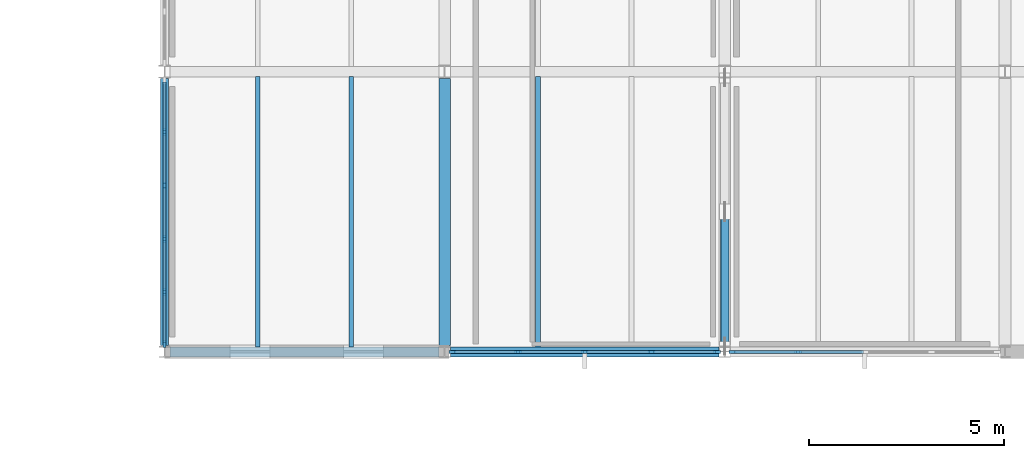
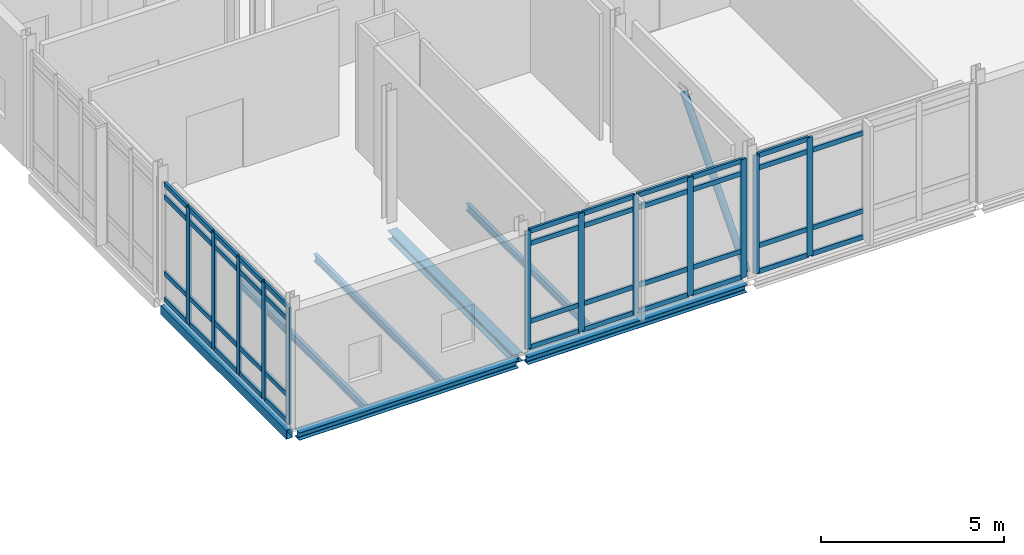
# One storey, part 17 of 43: 56 members, 7 beams, 3 elements without a shape of their own.
"""IFC4 building model written with IfcOpenShell, lengths in metres."""

from ifc_helpers import new_model, si_unit, direction, frame, origin, origin_2d, place, context, subcontext, project, spatial, rectangle, hollow_rectangle, hollow_circle, i_section, extrude, material, layer, layer_set, material_profile, profile_set, type_object, element, aggregate, save


model = new_model("IFC4")

# Units and contexts
model_context = context("Model", 3, precision=1e-05, world=origin(), true_north=direction((0.0, 1.0)))
body_context = subcontext(model_context, "Body", "Model", "MODEL_VIEW")
ifc_project = project(units=[si_unit("LENGTHUNIT", "METRE"), si_unit("AREAUNIT", "SQUARE_METRE"), si_unit("VOLUMEUNIT", "CUBIC_METRE"), si_unit("PLANEANGLEUNIT", "RADIAN"), si_unit("MASSUNIT", "GRAM", prefix="KILO")], contexts=[model_context])

# Site, building, storey
site_placement = place(None, origin())
site = spatial("IfcSite", under=ifc_project, at=site_placement, CompositionType="ELEMENT")
building_placement = place(site_placement, origin())
building = spatial("IfcBuilding", under=site, at=building_placement, Name="Zarrinpeak Specialist Clinic", CompositionType="ELEMENT")
storey_placement = place(building_placement, frame((0.0, 0.0, 18.39990234375)))
storey = spatial("IfcBuildingStorey", under=building, at=storey_placement, Name="L04", CompositionType="ELEMENT", Elevation=18.39990234375)

# Beams
ifc_material_1 = material(Name="Steel S355", Category="steel")
ifc_material_profile_1 = material_profile(ifc_material_1, i_section(OverallWidth=0.260009765625, OverallDepth=0.25, WebThickness=0.007568359375, FlangeThickness=0.012451171875, FilletRadius=0.02392578125, at=origin_2d()), Name="HEA 260")
ifc_profile_set_1 = profile_set([ifc_material_profile_1], Name="Steel S355")
beam_type_1 = type_object("IfcBeamType", Name="BM-HEA260", PredefinedType="BEAM", material=ifc_profile_set_1)
for number, where, z_axis, x_axis, name in (
    (1, (36.14794921875, 89.199951171875, -0.324951171875), (1.0, 0.0, 0.0), (0.0, 1.0, 0.0), "L04 Primary Floor Girder BM-L04-X1863"),
    (2, (43.347900390625, 89.199951171875, -0.324951171875), (1.0, 0.0, 0.0), (0.0, 1.0, 0.0), "L04 Primary Floor Girder BM-L04-X1864"),
):
    element("IfcBeam", number, at=place(storey_placement, frame(where, z_axis=z_axis, x_axis=x_axis)), inside=storey, type_object=beam_type_1, Name=name, PredefinedType="BEAM", context=body_context, shape_type="SweptSolid", body=[
        extrude(i_section(OverallWidth=0.260009765625, OverallDepth=0.25, WebThickness=0.007568359375, FlangeThickness=0.012451171875, FilletRadius=0.02392578125, at=origin_2d()), origin(), (0.0, 0.0, 1.0), 6.904052734375),
    ])
ifc_material_profile_2 = material_profile(ifc_material_1, i_section(OverallWidth=0.300048828125, OverallDepth=0.2900390625, WebThickness=0.008544921875, FlangeThickness=0.013916015625, FilletRadius=0.027099609375, at=origin_2d()), Name="HEA 300")
ifc_profile_set_2 = profile_set([ifc_material_profile_2], Name="Steel S355")
beam_type_2 = type_object("IfcBeamType", Name="BM-HEA300", PredefinedType="BEAM", material=ifc_profile_set_2)
beam_1_placement = place(storey_placement, frame((43.199951171875, 89.35791015625, -0.344970703125), z_axis=(0.0, 1.0, 0.0), x_axis=(-1.0, 0.0, 0.0)))
element("IfcBeam", 3, at=beam_1_placement, inside=storey, type_object=beam_type_2, Name="L04 Primary Beam BM-L04-Y1918", PredefinedType="BEAM", context=body_context, shape_type="SweptSolid", body=[
    extrude(i_section(OverallWidth=0.300048828125, OverallDepth=0.2900390625, WebThickness=0.008544921875, FlangeThickness=0.013916015625, FilletRadius=0.027099609375, at=origin_2d()), origin(), (0.0, 0.0, 1.0), 6.864013671875),
])
ifc_material_profile_3 = material_profile(ifc_material_1, i_section(OverallWidth=0.1201171875, OverallDepth=0.239990234375, WebThickness=0.006103515625, FlangeThickness=0.009765625, FilletRadius=0.014892578125, at=origin_2d()), Name="IPE 240")
ifc_profile_set_3 = profile_set([ifc_material_profile_3], Name="Steel S355")
beam_type_3 = type_object("IfcBeamType", Name="BM-JST240", PredefinedType="JOIST", material=ifc_profile_set_3)
for number, where, z_axis, x_axis, name in (
    (4, (38.39990234375, 89.327880859375, -0.31982421875), (0.0, 1.0, 0.0), (-1.0, 0.0, 0.0), "L04 Composite Floor Joist JST-L04-2013"),
    (5, (40.800048828125, 89.327880859375, -0.31982421875), (0.0, 1.0, 0.0), (-1.0, 0.0, 0.0), "L04 Composite Floor Joist JST-L04-2014"),
    (6, (45.60009765625, 89.327880859375, -0.31982421875), (0.0, 1.0, 0.0), (-1.0, 0.0, 0.0), "L04 Composite Floor Joist JST-L04-2017"),
):
    element("IfcBeam", number, at=place(storey_placement, frame(where, z_axis=z_axis, x_axis=x_axis)), inside=storey, type_object=beam_type_3, Name=name, PredefinedType="JOIST", context=body_context, shape_type="SweptSolid", body=[
        extrude(i_section(OverallWidth=0.1201171875, OverallDepth=0.239990234375, WebThickness=0.006103515625, FlangeThickness=0.009765625, FilletRadius=0.014892578125, at=origin_2d()), origin(), (0.0, 0.0, 1.0), 6.944091796875),
    ])
ifc_material_profile_4 = material_profile(ifc_material_1, hollow_rectangle(XDim=0.199951171875, YDim=0.300048828125, WallThickness=0.012451171875, at=origin_2d()), Name="RHS 300x200x12.5")
ifc_profile_set_4 = profile_set([ifc_material_profile_4], Name="Steel S355")
beam_type_4 = type_object("IfcBeamType", Name="BM-SP300", PredefinedType="SPANDREL", material=ifc_profile_set_4)
beam_2_placement = place(storey_placement, frame((36.0, 89.35791015625, -0.349853515625), z_axis=(0.0, 1.0, 0.0), x_axis=(-1.0, 0.0, 0.0)))
element("IfcBeam", 7, at=beam_2_placement, inside=storey, type_object=beam_type_4, Name="L04 Perimeter Spandrel Beam BM-L04-Y1914", PredefinedType="SPANDREL", context=body_context, shape_type="SweptSolid", body=[
    extrude(hollow_rectangle(XDim=0.199951171875, YDim=0.300048828125, WallThickness=0.012451171875, at=origin_2d()), origin(), (0.0, 0.0, 1.0), 6.864013671875),
])

# Curtain wall, members
ifc_material_2 = material(Name="Anodised Aluminium Alloy 6063-T6", Category="aluminium")
ifc_layer_1 = layer(ifc_material_2, 0.179931640625)
ifc_layer_set_1 = layer_set([ifc_layer_1], Name="Anodised Aluminium Alloy 6063-T6")
curtain_wall_type_1 = type_object("IfcCurtainWallType", Name="CW-COURT", PredefinedType="NOTDEFINED", material=ifc_layer_set_1)
curtain_wall_1_placement = place(storey_placement, origin())
curtain_wall_1 = element("IfcCurtainWall", 8, at=curtain_wall_1_placement, inside=storey, type_object=curtain_wall_type_1, Name="L04 V6 Unitised Curtain Wall CW-L04-V6-153", PredefinedType="NOTDEFINED")
ifc_material_profile_5 = material_profile(ifc_material_2, rectangle(XDim=0.074951171875, YDim=0.179931640625, at=origin_2d()), Name="ALU 75x180")
ifc_profile_set_5 = profile_set([ifc_material_profile_5], Name="Anodised Aluminium Alloy 6063-T6")
member_type_1 = type_object("IfcMemberType", Name="CWM-75", PredefinedType="MULLION", material=ifc_profile_set_5)
member_1_placement = place(storey_placement, frame((43.402587890625, 89.199951171875, 0.0), z_axis=(0.0, 0.0, 1.0), x_axis=(0.0, 1.0, 0.0)))
member_1 = element("IfcMember", 9, at=member_1_placement, type_object=member_type_1, Name="CW-01 mullion 1", PredefinedType="MULLION", context=body_context, shape_type="SweptSolid", body=[
    extrude(rectangle(XDim=0.074951171875, YDim=0.179931640625, at=origin_2d()), origin(), (0.0, 0.0, 1.0), 3.940185546875),
])
member_2_placement = place(storey_placement, frame((45.08251953125, 89.199951171875, 0.0), z_axis=(0.0, 0.0, 1.0), x_axis=(0.0, 1.0, 0.0)))
member_2 = element("IfcMember", 10, at=member_2_placement, type_object=member_type_1, Name="CW-01 mullion 2", PredefinedType="MULLION", context=body_context, shape_type="SweptSolid", body=[
    extrude(rectangle(XDim=0.074951171875, YDim=0.179931640625, at=origin_2d()), origin(), (0.0, 0.0, 1.0), 3.940185546875),
])
member_3_placement = place(storey_placement, frame((46.800048828125, 89.199951171875, 0.0), z_axis=(0.0, 0.0, 1.0), x_axis=(0.0, 1.0, 0.0)))
member_3 = element("IfcMember", 11, at=member_3_placement, type_object=member_type_1, Name="CW-01 mullion 3", PredefinedType="MULLION", context=body_context, shape_type="SweptSolid", body=[
    extrude(rectangle(XDim=0.074951171875, YDim=0.179931640625, at=origin_2d()), origin(), (0.0, 0.0, 1.0), 3.940185546875),
])
member_4_placement = place(storey_placement, frame((48.517578125, 89.199951171875, 0.0), z_axis=(0.0, 0.0, 1.0), x_axis=(0.0, 1.0, 0.0)))
member_4 = element("IfcMember", 12, at=member_4_placement, type_object=member_type_1, Name="CW-01 mullion 4", PredefinedType="MULLION", context=body_context, shape_type="SweptSolid", body=[
    extrude(rectangle(XDim=0.074951171875, YDim=0.179931640625, at=origin_2d()), origin(), (0.0, 0.0, 1.0), 3.940185546875),
])
member_5_placement = place(storey_placement, frame((50.197509765625, 89.199951171875, 0.0), z_axis=(0.0, 0.0, 1.0), x_axis=(0.0, 1.0, 0.0)))
member_5 = element("IfcMember", 13, at=member_5_placement, type_object=member_type_1, Name="CW-01 mullion 5", PredefinedType="MULLION", context=body_context, shape_type="SweptSolid", body=[
    extrude(rectangle(XDim=0.074951171875, YDim=0.179931640625, at=origin_2d()), origin(), (0.0, 0.0, 1.0), 3.940185546875),
])

curtain_wall_2_placement = place(storey_placement, origin())
curtain_wall_2 = element("IfcCurtainWall", 14, at=curtain_wall_2_placement, inside=storey, type_object=curtain_wall_type_1, Name="L04 V6 Unitised Curtain Wall CW-L04-V6-154", PredefinedType="NOTDEFINED")
member_6_placement = place(storey_placement, frame((50.6025390625, 89.199951171875, 0.0), z_axis=(0.0, 0.0, 1.0), x_axis=(0.0, 1.0, 0.0)))
member_6 = element("IfcMember", 15, at=member_6_placement, type_object=member_type_1, Name="CW-01 mullion 1", PredefinedType="MULLION", context=body_context, shape_type="SweptSolid", body=[
    extrude(rectangle(XDim=0.074951171875, YDim=0.179931640625, at=origin_2d()), origin(), (0.0, 0.0, 1.0), 3.940185546875),
])
member_7_placement = place(storey_placement, frame((52.282470703125, 89.199951171875, 0.0), z_axis=(0.0, 0.0, 1.0), x_axis=(0.0, 1.0, 0.0)))
member_7 = element("IfcMember", 16, at=member_7_placement, type_object=member_type_1, Name="CW-01 mullion 2", PredefinedType="MULLION", context=body_context, shape_type="SweptSolid", body=[
    extrude(rectangle(XDim=0.074951171875, YDim=0.179931640625, at=origin_2d()), origin(), (0.0, 0.0, 1.0), 3.940185546875),
])

ifc_layer_2 = layer(ifc_material_2, 0.1650390625)
ifc_layer_set_2 = layer_set([ifc_layer_2], Name="Anodised Aluminium Alloy 6063-T6")
curtain_wall_type_2 = type_object("IfcCurtainWallType", Name="CW-CLINIC", PredefinedType="NOTDEFINED", material=ifc_layer_set_2)
curtain_wall_3_placement = place(storey_placement, origin())
curtain_wall_3 = element("IfcCurtainWall", 17, at=curtain_wall_3_placement, inside=storey, type_object=curtain_wall_type_2, Name="L04 V6 Unitised Curtain Wall CW-L04-V6-155", PredefinedType="NOTDEFINED")
member_8_placement = place(storey_placement, frame((36.0, 94.844970703125, 0.0), z_axis=(0.0, 0.0, 1.0), x_axis=(1.0, 0.0, 0.0)))
member_8 = element("IfcMember", 18, at=member_8_placement, type_object=member_type_1, Name="CW-03 mullion 2", PredefinedType="MULLION", context=body_context, shape_type="SweptSolid", body=[
    extrude(rectangle(XDim=0.074951171875, YDim=0.179931640625, at=origin_2d()), origin(), (0.0, 0.0, 1.0), 3.89013671875),
])
member_9_placement = place(storey_placement, frame((36.0, 93.47509765625, 0.0), z_axis=(0.0, 0.0, 1.0), x_axis=(1.0, 0.0, 0.0)))
member_9 = element("IfcMember", 19, at=member_9_placement, type_object=member_type_1, Name="CW-03 mullion 3", PredefinedType="MULLION", context=body_context, shape_type="SweptSolid", body=[
    extrude(rectangle(XDim=0.074951171875, YDim=0.179931640625, at=origin_2d()), origin(), (0.0, 0.0, 1.0), 3.89013671875),
])
member_10_placement = place(storey_placement, frame((36.0, 92.10498046875, 0.0), z_axis=(0.0, 0.0, 1.0), x_axis=(1.0, 0.0, 0.0)))
member_10 = element("IfcMember", 20, at=member_10_placement, type_object=member_type_1, Name="CW-03 mullion 4", PredefinedType="MULLION", context=body_context, shape_type="SweptSolid", body=[
    extrude(rectangle(XDim=0.074951171875, YDim=0.179931640625, at=origin_2d()), origin(), (0.0, 0.0, 1.0), 3.89013671875),
])
member_11_placement = place(storey_placement, frame((36.0, 90.735107421875, 0.0), z_axis=(0.0, 0.0, 1.0), x_axis=(1.0, 0.0, 0.0)))
member_11 = element("IfcMember", 21, at=member_11_placement, type_object=member_type_1, Name="CW-03 mullion 5", PredefinedType="MULLION", context=body_context, shape_type="SweptSolid", body=[
    extrude(rectangle(XDim=0.074951171875, YDim=0.179931640625, at=origin_2d()), origin(), (0.0, 0.0, 1.0), 3.89013671875),
])
member_12_placement = place(storey_placement, frame((36.0, 89.402587890625, 0.0), z_axis=(0.0, 0.0, 1.0), x_axis=(1.0, 0.0, 0.0)))
member_12 = element("IfcMember", 22, at=member_12_placement, type_object=member_type_1, Name="CW-03 mullion 6", PredefinedType="MULLION", context=body_context, shape_type="SweptSolid", body=[
    extrude(rectangle(XDim=0.074951171875, YDim=0.179931640625, at=origin_2d()), origin(), (0.0, 0.0, 1.0), 3.89013671875),
])

# Member
ifc_material_profile_6 = material_profile(ifc_material_2, rectangle(XDim=0.074951171875, YDim=0.159912109375, at=origin_2d()), Name="ALU 75x160")
ifc_profile_set_6 = profile_set([ifc_material_profile_6], Name="Anodised Aluminium Alloy 6063-T6")
member_type_2 = type_object("IfcMemberType", Name="CWT-75", PredefinedType="USERDEFINED", material=ifc_profile_set_6)
member_13_placement = place(storey_placement, frame((43.43994140625, 89.199951171875, 0.03759765625), z_axis=(1.0, 0.0, 0.0), x_axis=(0.0, 1.0, 0.0)))
member_13 = element("IfcMember", 23, at=member_13_placement, type_object=member_type_2, Name="CW-01 transom 1.1", ObjectType="TRANSOM", PredefinedType="USERDEFINED", context=body_context, shape_type="SweptSolid", body=[
    extrude(rectangle(XDim=0.074951171875, YDim=0.159912109375, at=origin_2d()), origin(), (0.0, 0.0, 1.0), 1.60498046875),
])

member_14_placement = place(storey_placement, frame((43.43994140625, 89.199951171875, 0.900146484375), z_axis=(1.0, 0.0, 0.0), x_axis=(0.0, 1.0, 0.0)))
member_14 = element("IfcMember", 24, at=member_14_placement, type_object=member_type_2, Name="CW-01 transom 1.2", ObjectType="TRANSOM", PredefinedType="USERDEFINED", context=body_context, shape_type="SweptSolid", body=[
    extrude(rectangle(XDim=0.074951171875, YDim=0.159912109375, at=origin_2d()), origin(), (0.0, 0.0, 1.0), 1.60498046875),
])

member_15_placement = place(storey_placement, frame((43.43994140625, 89.199951171875, 3.489990234375), z_axis=(1.0, 0.0, 0.0), x_axis=(0.0, 1.0, 0.0)))
member_15 = element("IfcMember", 25, at=member_15_placement, type_object=member_type_2, Name="CW-01 transom 1.3", ObjectType="TRANSOM", PredefinedType="USERDEFINED", context=body_context, shape_type="SweptSolid", body=[
    extrude(rectangle(XDim=0.074951171875, YDim=0.159912109375, at=origin_2d()), origin(), (0.0, 0.0, 1.0), 1.60498046875),
])

member_16_placement = place(storey_placement, frame((43.43994140625, 89.199951171875, 3.902587890625), z_axis=(1.0, 0.0, 0.0), x_axis=(0.0, 1.0, 0.0)))
member_16 = element("IfcMember", 26, at=member_16_placement, type_object=member_type_2, Name="CW-01 transom 1.4", ObjectType="TRANSOM", PredefinedType="USERDEFINED", context=body_context, shape_type="SweptSolid", body=[
    extrude(rectangle(XDim=0.074951171875, YDim=0.159912109375, at=origin_2d()), origin(), (0.0, 0.0, 1.0), 1.60498046875),
])

member_17_placement = place(storey_placement, frame((45.1201171875, 89.199951171875, 0.03759765625), z_axis=(1.0, 0.0, 0.0), x_axis=(0.0, 1.0, 0.0)))
member_17 = element("IfcMember", 27, at=member_17_placement, type_object=member_type_2, Name="CW-01 transom 2.1", ObjectType="TRANSOM", PredefinedType="USERDEFINED", context=body_context, shape_type="SweptSolid", body=[
    extrude(rectangle(XDim=0.074951171875, YDim=0.159912109375, at=origin_2d()), origin(), (0.0, 0.0, 1.0), 1.642333984375),
])

member_18_placement = place(storey_placement, frame((45.1201171875, 89.199951171875, 0.900146484375), z_axis=(1.0, 0.0, 0.0), x_axis=(0.0, 1.0, 0.0)))
member_18 = element("IfcMember", 28, at=member_18_placement, type_object=member_type_2, Name="CW-01 transom 2.2", ObjectType="TRANSOM", PredefinedType="USERDEFINED", context=body_context, shape_type="SweptSolid", body=[
    extrude(rectangle(XDim=0.074951171875, YDim=0.159912109375, at=origin_2d()), origin(), (0.0, 0.0, 1.0), 1.642333984375),
])

member_19_placement = place(storey_placement, frame((45.1201171875, 89.199951171875, 3.489990234375), z_axis=(1.0, 0.0, 0.0), x_axis=(0.0, 1.0, 0.0)))
member_19 = element("IfcMember", 29, at=member_19_placement, type_object=member_type_2, Name="CW-01 transom 2.3", ObjectType="TRANSOM", PredefinedType="USERDEFINED", context=body_context, shape_type="SweptSolid", body=[
    extrude(rectangle(XDim=0.074951171875, YDim=0.159912109375, at=origin_2d()), origin(), (0.0, 0.0, 1.0), 1.642333984375),
])

member_20_placement = place(storey_placement, frame((45.1201171875, 89.199951171875, 3.902587890625), z_axis=(1.0, 0.0, 0.0), x_axis=(0.0, 1.0, 0.0)))
member_20 = element("IfcMember", 30, at=member_20_placement, type_object=member_type_2, Name="CW-01 transom 2.4", ObjectType="TRANSOM", PredefinedType="USERDEFINED", context=body_context, shape_type="SweptSolid", body=[
    extrude(rectangle(XDim=0.074951171875, YDim=0.159912109375, at=origin_2d()), origin(), (0.0, 0.0, 1.0), 1.642333984375),
])

member_21_placement = place(storey_placement, frame((46.83740234375, 89.199951171875, 0.03759765625), z_axis=(1.0, 0.0, 0.0), x_axis=(0.0, 1.0, 0.0)))
member_21 = element("IfcMember", 31, at=member_21_placement, type_object=member_type_2, Name="CW-01 transom 3.1", ObjectType="TRANSOM", PredefinedType="USERDEFINED", context=body_context, shape_type="SweptSolid", body=[
    extrude(rectangle(XDim=0.074951171875, YDim=0.159912109375, at=origin_2d()), origin(), (0.0, 0.0, 1.0), 1.642578125),
])

member_22_placement = place(storey_placement, frame((46.83740234375, 89.199951171875, 0.900146484375), z_axis=(1.0, 0.0, 0.0), x_axis=(0.0, 1.0, 0.0)))
member_22 = element("IfcMember", 32, at=member_22_placement, type_object=member_type_2, Name="CW-01 transom 3.2", ObjectType="TRANSOM", PredefinedType="USERDEFINED", context=body_context, shape_type="SweptSolid", body=[
    extrude(rectangle(XDim=0.074951171875, YDim=0.159912109375, at=origin_2d()), origin(), (0.0, 0.0, 1.0), 1.642578125),
])

member_23_placement = place(storey_placement, frame((46.83740234375, 89.199951171875, 3.489990234375), z_axis=(1.0, 0.0, 0.0), x_axis=(0.0, 1.0, 0.0)))
member_23 = element("IfcMember", 33, at=member_23_placement, type_object=member_type_2, Name="CW-01 transom 3.3", ObjectType="TRANSOM", PredefinedType="USERDEFINED", context=body_context, shape_type="SweptSolid", body=[
    extrude(rectangle(XDim=0.074951171875, YDim=0.159912109375, at=origin_2d()), origin(), (0.0, 0.0, 1.0), 1.642578125),
])

member_24_placement = place(storey_placement, frame((46.83740234375, 89.199951171875, 3.902587890625), z_axis=(1.0, 0.0, 0.0), x_axis=(0.0, 1.0, 0.0)))
member_24 = element("IfcMember", 34, at=member_24_placement, type_object=member_type_2, Name="CW-01 transom 3.4", ObjectType="TRANSOM", PredefinedType="USERDEFINED", context=body_context, shape_type="SweptSolid", body=[
    extrude(rectangle(XDim=0.074951171875, YDim=0.159912109375, at=origin_2d()), origin(), (0.0, 0.0, 1.0), 1.642578125),
])

member_25_placement = place(storey_placement, frame((48.554931640625, 89.199951171875, 0.03759765625), z_axis=(1.0, 0.0, 0.0), x_axis=(0.0, 1.0, 0.0)))
member_25 = element("IfcMember", 35, at=member_25_placement, type_object=member_type_2, Name="CW-01 transom 4.1", ObjectType="TRANSOM", PredefinedType="USERDEFINED", context=body_context, shape_type="SweptSolid", body=[
    extrude(rectangle(XDim=0.074951171875, YDim=0.159912109375, at=origin_2d()), origin(), (0.0, 0.0, 1.0), 1.60498046875),
])

member_26_placement = place(storey_placement, frame((48.554931640625, 89.199951171875, 0.900146484375), z_axis=(1.0, 0.0, 0.0), x_axis=(0.0, 1.0, 0.0)))
member_26 = element("IfcMember", 36, at=member_26_placement, type_object=member_type_2, Name="CW-01 transom 4.2", ObjectType="TRANSOM", PredefinedType="USERDEFINED", context=body_context, shape_type="SweptSolid", body=[
    extrude(rectangle(XDim=0.074951171875, YDim=0.159912109375, at=origin_2d()), origin(), (0.0, 0.0, 1.0), 1.60498046875),
])

member_27_placement = place(storey_placement, frame((48.554931640625, 89.199951171875, 3.489990234375), z_axis=(1.0, 0.0, 0.0), x_axis=(0.0, 1.0, 0.0)))
member_27 = element("IfcMember", 37, at=member_27_placement, type_object=member_type_2, Name="CW-01 transom 4.3", ObjectType="TRANSOM", PredefinedType="USERDEFINED", context=body_context, shape_type="SweptSolid", body=[
    extrude(rectangle(XDim=0.074951171875, YDim=0.159912109375, at=origin_2d()), origin(), (0.0, 0.0, 1.0), 1.60498046875),
])

member_28_placement = place(storey_placement, frame((48.554931640625, 89.199951171875, 3.902587890625), z_axis=(1.0, 0.0, 0.0), x_axis=(0.0, 1.0, 0.0)))
member_28 = element("IfcMember", 38, at=member_28_placement, type_object=member_type_2, Name="CW-01 transom 4.4", ObjectType="TRANSOM", PredefinedType="USERDEFINED", context=body_context, shape_type="SweptSolid", body=[
    extrude(rectangle(XDim=0.074951171875, YDim=0.159912109375, at=origin_2d()), origin(), (0.0, 0.0, 1.0), 1.60498046875),
])

aggregate(curtain_wall_1, [member_1, member_2, member_3, member_4, member_5, member_13, member_14, member_15, member_16, member_17, member_18, member_19, member_20, member_21, member_22, member_23, member_24, member_25, member_26, member_27, member_28])

member_29_placement = place(storey_placement, frame((50.639892578125, 89.199951171875, 0.03759765625), z_axis=(1.0, 0.0, 0.0), x_axis=(0.0, 1.0, 0.0)))
member_29 = element("IfcMember", 39, at=member_29_placement, type_object=member_type_2, Name="CW-01 transom 1.1", ObjectType="TRANSOM", PredefinedType="USERDEFINED", context=body_context, shape_type="SweptSolid", body=[
    extrude(rectangle(XDim=0.074951171875, YDim=0.159912109375, at=origin_2d()), origin(), (0.0, 0.0, 1.0), 1.605224609375),
])

member_30_placement = place(storey_placement, frame((50.639892578125, 89.199951171875, 0.900146484375), z_axis=(1.0, 0.0, 0.0), x_axis=(0.0, 1.0, 0.0)))
member_30 = element("IfcMember", 40, at=member_30_placement, type_object=member_type_2, Name="CW-01 transom 1.2", ObjectType="TRANSOM", PredefinedType="USERDEFINED", context=body_context, shape_type="SweptSolid", body=[
    extrude(rectangle(XDim=0.074951171875, YDim=0.159912109375, at=origin_2d()), origin(), (0.0, 0.0, 1.0), 1.605224609375),
])

member_31_placement = place(storey_placement, frame((50.639892578125, 89.199951171875, 3.489990234375), z_axis=(1.0, 0.0, 0.0), x_axis=(0.0, 1.0, 0.0)))
member_31 = element("IfcMember", 41, at=member_31_placement, type_object=member_type_2, Name="CW-01 transom 1.3", ObjectType="TRANSOM", PredefinedType="USERDEFINED", context=body_context, shape_type="SweptSolid", body=[
    extrude(rectangle(XDim=0.074951171875, YDim=0.159912109375, at=origin_2d()), origin(), (0.0, 0.0, 1.0), 1.605224609375),
])

member_32_placement = place(storey_placement, frame((50.639892578125, 89.199951171875, 3.902587890625), z_axis=(1.0, 0.0, 0.0), x_axis=(0.0, 1.0, 0.0)))
member_32 = element("IfcMember", 42, at=member_32_placement, type_object=member_type_2, Name="CW-01 transom 1.4", ObjectType="TRANSOM", PredefinedType="USERDEFINED", context=body_context, shape_type="SweptSolid", body=[
    extrude(rectangle(XDim=0.074951171875, YDim=0.159912109375, at=origin_2d()), origin(), (0.0, 0.0, 1.0), 1.605224609375),
])

member_33_placement = place(storey_placement, frame((52.320068359375, 89.199951171875, 0.03759765625), z_axis=(1.0, 0.0, 0.0), x_axis=(0.0, 1.0, 0.0)))
member_33 = element("IfcMember", 43, at=member_33_placement, type_object=member_type_2, Name="CW-01 transom 2.1", ObjectType="TRANSOM", PredefinedType="USERDEFINED", context=body_context, shape_type="SweptSolid", body=[
    extrude(rectangle(XDim=0.074951171875, YDim=0.159912109375, at=origin_2d()), origin(), (0.0, 0.0, 1.0), 1.642333984375),
])

member_34_placement = place(storey_placement, frame((52.320068359375, 89.199951171875, 0.900146484375), z_axis=(1.0, 0.0, 0.0), x_axis=(0.0, 1.0, 0.0)))
member_34 = element("IfcMember", 44, at=member_34_placement, type_object=member_type_2, Name="CW-01 transom 2.2", ObjectType="TRANSOM", PredefinedType="USERDEFINED", context=body_context, shape_type="SweptSolid", body=[
    extrude(rectangle(XDim=0.074951171875, YDim=0.159912109375, at=origin_2d()), origin(), (0.0, 0.0, 1.0), 1.642333984375),
])

member_35_placement = place(storey_placement, frame((52.320068359375, 89.199951171875, 3.489990234375), z_axis=(1.0, 0.0, 0.0), x_axis=(0.0, 1.0, 0.0)))
member_35 = element("IfcMember", 45, at=member_35_placement, type_object=member_type_2, Name="CW-01 transom 2.3", ObjectType="TRANSOM", PredefinedType="USERDEFINED", context=body_context, shape_type="SweptSolid", body=[
    extrude(rectangle(XDim=0.074951171875, YDim=0.159912109375, at=origin_2d()), origin(), (0.0, 0.0, 1.0), 1.642333984375),
])

aggregate(curtain_wall_2, [member_6, member_7, member_29, member_30, member_31, member_32, member_33, member_34, member_35])

member_36_placement = place(storey_placement, frame((36.0, 96.139892578125, 0.03759765625), z_axis=(0.0, -1.0, 0.0), x_axis=(1.0, 0.0, 0.0)))
member_36 = element("IfcMember", 46, at=member_36_placement, type_object=member_type_2, Name="CW-03 transom 1.1", ObjectType="TRANSOM", PredefinedType="USERDEFINED", context=body_context, shape_type="SweptSolid", body=[
    extrude(rectangle(XDim=0.074951171875, YDim=0.159912109375, at=origin_2d()), origin(), (0.0, 0.0, 1.0), 1.25732421875),
])

member_37_placement = place(storey_placement, frame((36.0, 96.139892578125, 0.900146484375), z_axis=(0.0, -1.0, 0.0), x_axis=(1.0, 0.0, 0.0)))
member_37 = element("IfcMember", 47, at=member_37_placement, type_object=member_type_2, Name="CW-03 transom 1.2", ObjectType="TRANSOM", PredefinedType="USERDEFINED", context=body_context, shape_type="SweptSolid", body=[
    extrude(rectangle(XDim=0.074951171875, YDim=0.159912109375, at=origin_2d()), origin(), (0.0, 0.0, 1.0), 1.25732421875),
])

member_38_placement = place(storey_placement, frame((36.0, 96.139892578125, 3.440185546875), z_axis=(0.0, -1.0, 0.0), x_axis=(1.0, 0.0, 0.0)))
member_38 = element("IfcMember", 48, at=member_38_placement, type_object=member_type_2, Name="CW-03 transom 1.3", ObjectType="TRANSOM", PredefinedType="USERDEFINED", context=body_context, shape_type="SweptSolid", body=[
    extrude(rectangle(XDim=0.074951171875, YDim=0.159912109375, at=origin_2d()), origin(), (0.0, 0.0, 1.0), 1.25732421875),
])

member_39_placement = place(storey_placement, frame((36.0, 96.139892578125, 3.8525390625), z_axis=(0.0, -1.0, 0.0), x_axis=(1.0, 0.0, 0.0)))
member_39 = element("IfcMember", 49, at=member_39_placement, type_object=member_type_2, Name="CW-03 transom 1.4", ObjectType="TRANSOM", PredefinedType="USERDEFINED", context=body_context, shape_type="SweptSolid", body=[
    extrude(rectangle(XDim=0.074951171875, YDim=0.159912109375, at=origin_2d()), origin(), (0.0, 0.0, 1.0), 1.25732421875),
])

member_40_placement = place(storey_placement, frame((36.0, 94.8076171875, 0.03759765625), z_axis=(0.0, -1.0, 0.0), x_axis=(1.0, 0.0, 0.0)))
member_40 = element("IfcMember", 50, at=member_40_placement, type_object=member_type_2, Name="CW-03 transom 2.1", ObjectType="TRANSOM", PredefinedType="USERDEFINED", context=body_context, shape_type="SweptSolid", body=[
    extrude(rectangle(XDim=0.074951171875, YDim=0.159912109375, at=origin_2d()), origin(), (0.0, 0.0, 1.0), 1.295166015625),
])

member_41_placement = place(storey_placement, frame((36.0, 94.8076171875, 0.900146484375), z_axis=(0.0, -1.0, 0.0), x_axis=(1.0, 0.0, 0.0)))
member_41 = element("IfcMember", 51, at=member_41_placement, type_object=member_type_2, Name="CW-03 transom 2.2", ObjectType="TRANSOM", PredefinedType="USERDEFINED", context=body_context, shape_type="SweptSolid", body=[
    extrude(rectangle(XDim=0.074951171875, YDim=0.159912109375, at=origin_2d()), origin(), (0.0, 0.0, 1.0), 1.295166015625),
])

member_42_placement = place(storey_placement, frame((36.0, 94.8076171875, 3.440185546875), z_axis=(0.0, -1.0, 0.0), x_axis=(1.0, 0.0, 0.0)))
member_42 = element("IfcMember", 52, at=member_42_placement, type_object=member_type_2, Name="CW-03 transom 2.3", ObjectType="TRANSOM", PredefinedType="USERDEFINED", context=body_context, shape_type="SweptSolid", body=[
    extrude(rectangle(XDim=0.074951171875, YDim=0.159912109375, at=origin_2d()), origin(), (0.0, 0.0, 1.0), 1.295166015625),
])

member_43_placement = place(storey_placement, frame((36.0, 94.8076171875, 3.8525390625), z_axis=(0.0, -1.0, 0.0), x_axis=(1.0, 0.0, 0.0)))
member_43 = element("IfcMember", 53, at=member_43_placement, type_object=member_type_2, Name="CW-03 transom 2.4", ObjectType="TRANSOM", PredefinedType="USERDEFINED", context=body_context, shape_type="SweptSolid", body=[
    extrude(rectangle(XDim=0.074951171875, YDim=0.159912109375, at=origin_2d()), origin(), (0.0, 0.0, 1.0), 1.295166015625),
])

member_44_placement = place(storey_placement, frame((36.0, 93.4375, 0.03759765625), z_axis=(0.0, -1.0, 0.0), x_axis=(1.0, 0.0, 0.0)))
member_44 = element("IfcMember", 54, at=member_44_placement, type_object=member_type_2, Name="CW-03 transom 3.1", ObjectType="TRANSOM", PredefinedType="USERDEFINED", context=body_context, shape_type="SweptSolid", body=[
    extrude(rectangle(XDim=0.074951171875, YDim=0.159912109375, at=origin_2d()), origin(), (0.0, 0.0, 1.0), 1.294921875),
])

member_45_placement = place(storey_placement, frame((36.0, 93.4375, 0.900146484375), z_axis=(0.0, -1.0, 0.0), x_axis=(1.0, 0.0, 0.0)))
member_45 = element("IfcMember", 55, at=member_45_placement, type_object=member_type_2, Name="CW-03 transom 3.2", ObjectType="TRANSOM", PredefinedType="USERDEFINED", context=body_context, shape_type="SweptSolid", body=[
    extrude(rectangle(XDim=0.074951171875, YDim=0.159912109375, at=origin_2d()), origin(), (0.0, 0.0, 1.0), 1.294921875),
])

member_46_placement = place(storey_placement, frame((36.0, 93.4375, 3.440185546875), z_axis=(0.0, -1.0, 0.0), x_axis=(1.0, 0.0, 0.0)))
member_46 = element("IfcMember", 56, at=member_46_placement, type_object=member_type_2, Name="CW-03 transom 3.3", ObjectType="TRANSOM", PredefinedType="USERDEFINED", context=body_context, shape_type="SweptSolid", body=[
    extrude(rectangle(XDim=0.074951171875, YDim=0.159912109375, at=origin_2d()), origin(), (0.0, 0.0, 1.0), 1.294921875),
])

member_47_placement = place(storey_placement, frame((36.0, 93.4375, 3.8525390625), z_axis=(0.0, -1.0, 0.0), x_axis=(1.0, 0.0, 0.0)))
member_47 = element("IfcMember", 57, at=member_47_placement, type_object=member_type_2, Name="CW-03 transom 3.4", ObjectType="TRANSOM", PredefinedType="USERDEFINED", context=body_context, shape_type="SweptSolid", body=[
    extrude(rectangle(XDim=0.074951171875, YDim=0.159912109375, at=origin_2d()), origin(), (0.0, 0.0, 1.0), 1.294921875),
])

member_48_placement = place(storey_placement, frame((36.0, 92.0673828125, 0.03759765625), z_axis=(0.0, -1.0, 0.0), x_axis=(1.0, 0.0, 0.0)))
member_48 = element("IfcMember", 58, at=member_48_placement, type_object=member_type_2, Name="CW-03 transom 4.1", ObjectType="TRANSOM", PredefinedType="USERDEFINED", context=body_context, shape_type="SweptSolid", body=[
    extrude(rectangle(XDim=0.074951171875, YDim=0.159912109375, at=origin_2d()), origin(), (0.0, 0.0, 1.0), 1.294921875),
])

member_49_placement = place(storey_placement, frame((36.0, 92.0673828125, 0.900146484375), z_axis=(0.0, -1.0, 0.0), x_axis=(1.0, 0.0, 0.0)))
member_49 = element("IfcMember", 59, at=member_49_placement, type_object=member_type_2, Name="CW-03 transom 4.2", ObjectType="TRANSOM", PredefinedType="USERDEFINED", context=body_context, shape_type="SweptSolid", body=[
    extrude(rectangle(XDim=0.074951171875, YDim=0.159912109375, at=origin_2d()), origin(), (0.0, 0.0, 1.0), 1.294921875),
])

member_50_placement = place(storey_placement, frame((36.0, 92.0673828125, 3.440185546875), z_axis=(0.0, -1.0, 0.0), x_axis=(1.0, 0.0, 0.0)))
member_50 = element("IfcMember", 60, at=member_50_placement, type_object=member_type_2, Name="CW-03 transom 4.3", ObjectType="TRANSOM", PredefinedType="USERDEFINED", context=body_context, shape_type="SweptSolid", body=[
    extrude(rectangle(XDim=0.074951171875, YDim=0.159912109375, at=origin_2d()), origin(), (0.0, 0.0, 1.0), 1.294921875),
])

member_51_placement = place(storey_placement, frame((36.0, 92.0673828125, 3.8525390625), z_axis=(0.0, -1.0, 0.0), x_axis=(1.0, 0.0, 0.0)))
member_51 = element("IfcMember", 61, at=member_51_placement, type_object=member_type_2, Name="CW-03 transom 4.4", ObjectType="TRANSOM", PredefinedType="USERDEFINED", context=body_context, shape_type="SweptSolid", body=[
    extrude(rectangle(XDim=0.074951171875, YDim=0.159912109375, at=origin_2d()), origin(), (0.0, 0.0, 1.0), 1.294921875),
])

member_52_placement = place(storey_placement, frame((36.0, 90.697509765625, 0.03759765625), z_axis=(0.0, -1.0, 0.0), x_axis=(1.0, 0.0, 0.0)))
member_52 = element("IfcMember", 62, at=member_52_placement, type_object=member_type_2, Name="CW-03 transom 5.1", ObjectType="TRANSOM", PredefinedType="USERDEFINED", context=body_context, shape_type="SweptSolid", body=[
    extrude(rectangle(XDim=0.074951171875, YDim=0.159912109375, at=origin_2d()), origin(), (0.0, 0.0, 1.0), 1.257568359375),
])

member_53_placement = place(storey_placement, frame((36.0, 90.697509765625, 0.900146484375), z_axis=(0.0, -1.0, 0.0), x_axis=(1.0, 0.0, 0.0)))
member_53 = element("IfcMember", 63, at=member_53_placement, type_object=member_type_2, Name="CW-03 transom 5.2", ObjectType="TRANSOM", PredefinedType="USERDEFINED", context=body_context, shape_type="SweptSolid", body=[
    extrude(rectangle(XDim=0.074951171875, YDim=0.159912109375, at=origin_2d()), origin(), (0.0, 0.0, 1.0), 1.257568359375),
])

member_54_placement = place(storey_placement, frame((36.0, 90.697509765625, 3.440185546875), z_axis=(0.0, -1.0, 0.0), x_axis=(1.0, 0.0, 0.0)))
member_54 = element("IfcMember", 64, at=member_54_placement, type_object=member_type_2, Name="CW-03 transom 5.3", ObjectType="TRANSOM", PredefinedType="USERDEFINED", context=body_context, shape_type="SweptSolid", body=[
    extrude(rectangle(XDim=0.074951171875, YDim=0.159912109375, at=origin_2d()), origin(), (0.0, 0.0, 1.0), 1.257568359375),
])

member_55_placement = place(storey_placement, frame((36.0, 90.697509765625, 3.8525390625), z_axis=(0.0, -1.0, 0.0), x_axis=(1.0, 0.0, 0.0)))
member_55 = element("IfcMember", 65, at=member_55_placement, type_object=member_type_2, Name="CW-03 transom 5.4", ObjectType="TRANSOM", PredefinedType="USERDEFINED", context=body_context, shape_type="SweptSolid", body=[
    extrude(rectangle(XDim=0.074951171875, YDim=0.159912109375, at=origin_2d()), origin(), (0.0, 0.0, 1.0), 1.257568359375),
])

aggregate(curtain_wall_3, [member_8, member_9, member_10, member_11, member_12, member_36, member_37, member_38, member_39, member_40, member_41, member_42, member_43, member_44, member_45, member_46, member_47, member_48, member_49, member_50, member_51, member_52, member_53, member_54, member_55])

ifc_material_profile_7 = material_profile(ifc_material_1, hollow_circle(Radius=0.109619140625, WallThickness=0.010009765625, at=origin_2d()), Name="CHS 219.1x10.0")
ifc_profile_set_7 = profile_set([ifc_material_profile_7], Name="Steel S355")
member_type_3 = type_object("IfcMemberType", Name="MB-BR219", PredefinedType="BRACE", material=ifc_profile_set_7)
member_56_placement = place(storey_placement, frame((50.39990234375, 89.340087890625, 0.005126953125), z_axis=(0.0, 0.66175135371, 0.749723379563), x_axis=(-1.0, 0.0, 0.0)))
element("IfcMember", 66, at=member_56_placement, inside=storey, type_object=member_type_3, Name="V6 L04 Seismic Concentric Brace CBF-051", PredefinedType="BRACE", context=body_context, shape_type="SweptSolid", body=[
    extrude(hollow_circle(Radius=0.109619140625, WallThickness=0.010009765625, at=origin_2d()), origin(), (0.0, 0.0, 1.0), 5.228515625),
])

save(model, "model.ifc")
